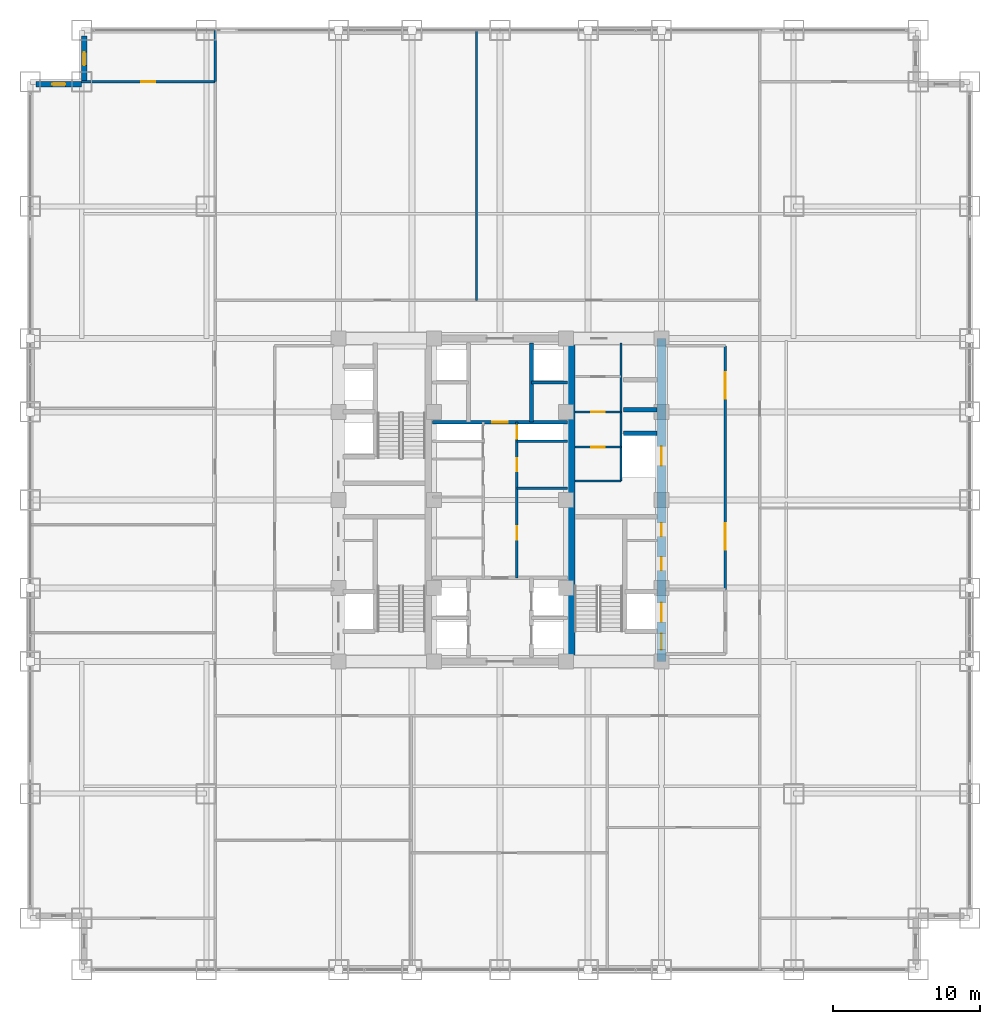
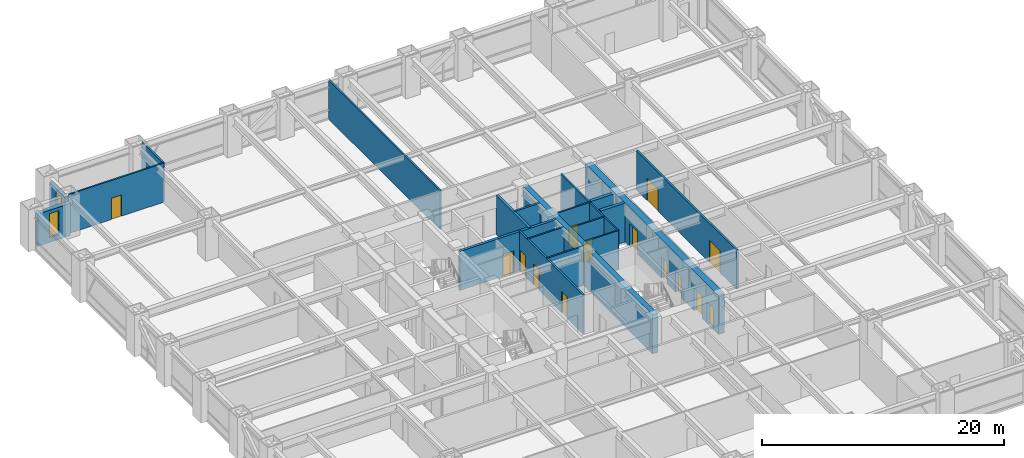
# One storey, part 26 of 28: 20 walls, 14 doors, 2 windows, 16 openings.
"""IFC4 building model written with IfcOpenShell, lengths in metres."""

from ifc_helpers import new_model, si_unit, direction, frame, frame_2d, origin, place, context, subcontext, project, spatial, rectangle, extrude, source, transform, mapped, material, layer, layer_set, type_object, element, fill, save


model = new_model("IFC4")

# Units and contexts
model_context = context("Model", 3, precision=1e-05, world=origin(), true_north=direction((0.0, 1.0)))
body_context = subcontext(model_context, "Body", "Model", "MODEL_VIEW")
ifc_project = project(units=[si_unit("LENGTHUNIT", "METRE"), si_unit("AREAUNIT", "SQUARE_METRE"), si_unit("VOLUMEUNIT", "CUBIC_METRE"), si_unit("PLANEANGLEUNIT", "RADIAN"), si_unit("MASSUNIT", "GRAM", prefix="KILO")], contexts=[model_context])

# Site, building, storey
site_placement = place(None, origin())
site = spatial("IfcSite", under=ifc_project, at=site_placement, CompositionType="ELEMENT")
building_placement = place(site_placement, origin())
building = spatial("IfcBuilding", under=site, at=building_placement, Name="Khorayat Bourse Tower", CompositionType="ELEMENT")
storey_placement = place(building_placement, frame((0.0, 0.0, 57.800048828125)))
storey = spatial("IfcBuildingStorey", under=building, at=storey_placement, Name="L12", CompositionType="ELEMENT", Elevation=57.800048828125)

# Wall, openings, doors
ifc_material_1 = material(Name="Concrete C60/75", Category="concrete")
ifc_layer_1 = layer(ifc_material_1, 0.60009765625)
ifc_layer_set_1 = layer_set([ifc_layer_1], Name="Concrete C60/75")
wall_type_1 = type_object("IfcWallType", Name="WAL-CORE-600", PredefinedType="SHEAR", material=ifc_layer_set_1)
shared_shape_1 = source(origin(), body_context, "Body", "SweptSolid", [
    extrude(rectangle(XDim=22.0, YDim=0.60009765625, at=frame_2d((11.0, 0.0))), origin(), (0.0, 0.0, 1.0), 3.93994140625),
])
wall_1_placement = place(storey_placement, frame((11.0, -11.0, 0.0), z_axis=(0.0, 0.0, 1.0), x_axis=(0.0, 1.0, 0.0)))
wall_1 = element("IfcWall", 1, at=wall_1_placement, inside=storey, type_object=wall_type_1, Name="L12 Core Shear Wall CORE-E", PredefinedType="SHEAR", context=body_context, shape_type="MappedRepresentation", body=[
    mapped(shared_shape_1, transform((0.0, 0.0, 0.0), scale=1.0)),
])
shared_shape_2 = source(origin(), body_context, "Body", "SweptSolid", [
    extrude(rectangle(XDim=1.10009765625, YDim=2.199951171875, at=frame_2d((0.550048828125, 1.10009765625))), frame((0.0, 0.31005859375, 0.0), z_axis=(0.0, -1.0, 0.0), x_axis=(1.0, 0.0, 0.0)), (0.0, 0.0, 1.0), 0.6201171875),
])
opening_1_placement = place(wall_1_placement, frame((0.800048828125, 0.0, 0.0)))
opening_1 = element("IfcOpeningElement", 2, at=opening_1_placement, cuts=wall_1, Name="Opening DI-01", PredefinedType="OPENING", context=body_context, shape_type="MappedRepresentation", body=[
    mapped(shared_shape_2, transform((0.0, 0.0, 0.0), scale=1.0)),
])
shared_shape_3 = source(origin(), body_context, "Body", "SweptSolid", [
    extrude(rectangle(XDim=0.89990234375, YDim=2.14990234375, at=frame_2d((0.449951171875, 1.074951171875))), frame((0.0, 0.31005859375, 0.0), z_axis=(0.0, -1.0, 0.0), x_axis=(1.0, 0.0, 0.0)), (0.0, 0.0, 1.0), 0.6201171875),
])
opening_2_placement = place(wall_1_placement, frame((6.199951171875, 0.0, 0.0)))
opening_2 = element("IfcOpeningElement", 3, at=opening_2_placement, cuts=wall_1, Name="Opening DI-06", PredefinedType="OPENING", context=body_context, shape_type="MappedRepresentation", body=[
    mapped(shared_shape_3, transform((0.0, 0.0, 0.0), scale=1.0)),
])
opening_3_placement = place(wall_1_placement, frame((8.52490234375, 0.0, 0.0)))
opening_3 = element("IfcOpeningElement", 4, at=opening_3_placement, cuts=wall_1, Name="Opening DI-06", PredefinedType="OPENING", context=body_context, shape_type="MappedRepresentation", body=[
    mapped(shared_shape_3, transform((0.0, 0.0, 0.0), scale=1.0)),
])
shared_shape_4 = source(origin(), body_context, "Body", "SweptSolid", [
    extrude(rectangle(XDim=1.300048828125, YDim=2.300048828125, at=frame_2d((0.64990234375, 1.14990234375))), frame((0.0, 0.31005859375, 0.0), z_axis=(0.0, -1.0, 0.0), x_axis=(1.0, 0.0, 0.0)), (0.0, 0.0, 1.0), 0.6201171875),
])
opening_4_placement = place(wall_1_placement, frame((2.699951171875, 0.0, 0.0)))
opening_4 = element("IfcOpeningElement", 5, at=opening_4_placement, cuts=wall_1, Name="Opening LD-02", PredefinedType="OPENING", context=body_context, shape_type="MappedRepresentation", body=[
    mapped(shared_shape_4, transform((0.0, 0.0, 0.0), scale=1.0)),
])
opening_5_placement = place(wall_1_placement, frame((13.35009765625, 0.0, 0.0)))
opening_5 = element("IfcOpeningElement", 6, at=opening_5_placement, cuts=wall_1, Name="Opening LD-02", PredefinedType="OPENING", context=body_context, shape_type="MappedRepresentation", body=[
    mapped(shared_shape_4, transform((0.0, 0.0, 0.0), scale=1.0)),
])
ifc_material_2 = material(Name="Fire-rated steel acoustic leaf", Category="steel")
door_type_1 = type_object("IfcDoorType", Name="DR-INT-STAIR-1100", OperationType="NOTDEFINED", PredefinedType="DOOR", material=ifc_material_2)
shared_shape_5 = source(origin(), body_context, "Body", "SweptSolid", [
    extrude(rectangle(XDim=1.10009765625, YDim=2.199951171875, at=frame_2d((0.550048828125, 1.10009765625))), frame((0.0, 0.02490234375, 0.0), z_axis=(0.0, -1.0, 0.0), x_axis=(1.0, 0.0, 0.0)), (0.0, 0.0, 1.0), 0.050048828125),
])
door_1_placement = place(opening_1_placement, origin())
door_1 = element("IfcDoor", 7, at=door_1_placement, inside=storey, type_object=door_type_1, Name="L12 Exit Stair 3 Door", OperationType="SINGLE_SWING_LEFT", OverallHeight=2.199951171875, OverallWidth=1.10009765625, PredefinedType="DOOR", context=body_context, shape_type="MappedRepresentation", body=[
    mapped(shared_shape_5, transform((0.0, 0.0, 0.0), scale=1.0)),
])
fill(opening_1, door_1)
ifc_material_3 = material(Name="Moisture-resistant laminate washroom door")
door_type_2 = type_object("IfcDoorType", Name="DR-INT-WC-900", OperationType="NOTDEFINED", PredefinedType="DOOR", material=ifc_material_3)
shared_shape_6 = source(origin(), body_context, "Body", "SweptSolid", [
    extrude(rectangle(XDim=0.89990234375, YDim=2.14990234375, at=frame_2d((0.449951171875, 1.074951171875))), frame((0.0, 0.02490234375, 0.0), z_axis=(0.0, -1.0, 0.0), x_axis=(1.0, 0.0, 0.0)), (0.0, 0.0, 1.0), 0.050048828125),
])
door_2_placement = place(opening_2_placement, origin())
door_2 = element("IfcDoor", 8, at=door_2_placement, inside=storey, type_object=door_type_2, Name="L12 Telecom Closet Door", OperationType="SINGLE_SWING_LEFT", OverallHeight=2.14990234375, OverallWidth=0.89990234375, PredefinedType="DOOR", context=body_context, shape_type="MappedRepresentation", body=[
    mapped(shared_shape_6, transform((0.0, 0.0, 0.0), scale=1.0)),
])
fill(opening_2, door_2)
door_3_placement = place(opening_3_placement, origin())
door_3 = element("IfcDoor", 9, at=door_3_placement, inside=storey, type_object=door_type_2, Name="L12 Stationery Store Door", OperationType="SINGLE_SWING_RIGHT", OverallHeight=2.14990234375, OverallWidth=0.89990234375, PredefinedType="DOOR", context=body_context, shape_type="MappedRepresentation", body=[
    mapped(shared_shape_6, transform((0.0, 0.0, 0.0), scale=1.0)),
])
fill(opening_3, door_3)
ifc_material_4 = material(Name="Fire-rated stainless-steel sliding landing door", Category="steel")
door_type_3 = type_object("IfcDoorType", Name="DR-LIFT-FF-1300", OperationType="NOTDEFINED", PredefinedType="DOOR", material=ifc_material_4)
shared_shape_7 = source(origin(), body_context, "Body", "SweptSolid", [
    extrude(rectangle(XDim=1.300048828125, YDim=2.300048828125, at=frame_2d((0.64990234375, 1.14990234375))), frame((0.0, 0.02490234375, 0.0), z_axis=(0.0, -1.0, 0.0), x_axis=(1.0, 0.0, 0.0)), (0.0, 0.0, 1.0), 0.050048828125),
])
door_4_placement = place(opening_4_placement, origin())
door_4 = element("IfcDoor", 10, at=door_4_placement, inside=storey, type_object=door_type_3, Name="L12 Lift FFL-02 Sliding Landing Door", OperationType="SLIDING_TO_LEFT", OverallHeight=2.300048828125, OverallWidth=1.300048828125, PredefinedType="DOOR", context=body_context, shape_type="MappedRepresentation", body=[
    mapped(shared_shape_7, transform((0.0, 0.0, 0.0), scale=1.0)),
])
fill(opening_4, door_4)
door_5_placement = place(opening_5_placement, origin())
door_5 = element("IfcDoor", 11, at=door_5_placement, inside=storey, type_object=door_type_3, Name="L12 Lift SVL-01 Sliding Landing Door", OperationType="SLIDING_TO_LEFT", OverallHeight=2.300048828125, OverallWidth=1.300048828125, PredefinedType="DOOR", context=body_context, shape_type="MappedRepresentation", body=[
    mapped(shared_shape_7, transform((0.0, 0.0, 0.0), scale=1.0)),
])
fill(opening_5, door_5)

# Wall
ifc_material_5 = material(Name="Concrete C52/65", Category="concrete")
ifc_layer_2 = layer(ifc_material_5, 0.5)
ifc_layer_set_2 = layer_set([ifc_layer_2], Name="Concrete C52/65")
wall_type_2 = type_object("IfcWallType", Name="WAL-CORE-500", PredefinedType="SHEAR", material=ifc_layer_set_2)
shared_shape_8 = source(origin(), body_context, "Body", "SweptSolid", [
    extrude(rectangle(XDim=21.39990234375, YDim=0.5, at=frame_2d((10.699951171875, 0.0))), origin(), (0.0, 0.0, 1.0), 3.93994140625),
])
wall_2_placement = place(storey_placement, frame((4.85009765625, -10.699951171875, 0.0), z_axis=(0.0, 0.0, 1.0), x_axis=(0.0, 1.0, 0.0)))
element("IfcWall", 12, at=wall_2_placement, inside=storey, type_object=wall_type_2, Name="L12 Core Shear Wall PIER-E", PredefinedType="SHEAR", context=body_context, shape_type="MappedRepresentation", body=[
    mapped(shared_shape_8, transform((0.0, 0.0, 0.0), scale=1.0)),
])

# Wall, opening, window
ifc_material_6 = material(Name="Precast concrete C45/55", Category="concrete")
ifc_layer_3 = layer(ifc_material_6, 0.3798828125)
ifc_layer_set_3 = layer_set([ifc_layer_3], Name="Precast concrete C45/55")
wall_type_3 = type_object("IfcWallType", Name="WAL-EXT-STONE-380", PredefinedType="STANDARD", material=ifc_layer_set_3)
shared_shape_9 = source(origin(), body_context, "Body", "SweptSolid", [
    extrude(rectangle(XDim=3.1201171875, YDim=0.3798828125, at=frame_2d((1.56005859375, 0.0))), origin(), (0.0, 0.0, 1.0), 3.244873046875),
])
wall_3_placement = place(storey_placement, frame((-28.31005859375, 28.5, 0.0), z_axis=(0.0, 0.0, 1.0), x_axis=(0.0, 1.0, 0.0)))
wall_3 = element("IfcWall", 13, at=wall_3_placement, inside=storey, type_object=wall_type_3, Name="L12 Re-Entrant Notch Limestone Wall NW-V", PredefinedType="STANDARD", context=body_context, shape_type="MappedRepresentation", body=[
    mapped(shared_shape_9, transform((0.0, 0.0, 0.0), scale=1.0)),
])
shared_shape_10 = source(origin(), body_context, "Body", "SweptSolid", [
    extrude(rectangle(XDim=0.89990234375, YDim=2.39990234375, at=frame_2d((0.449951171875, 1.199951171875))), frame((0.0, 0.199951171875, 0.0), z_axis=(0.0, -1.0, 0.0), x_axis=(1.0, 0.0, 0.0)), (0.0, 0.0, 1.0), 0.39990234375),
])
opening_6_placement = place(wall_3_placement, frame((1.110107421875, 0.0, 0.5)))
opening_6 = element("IfcOpeningElement", 14, at=opening_6_placement, cuts=wall_3, Name="Opening WN-03", PredefinedType="OPENING", context=body_context, shape_type="MappedRepresentation", body=[
    mapped(shared_shape_10, transform((0.0, 0.0, 0.0), scale=1.0)),
])
ifc_material_7 = material(Name="Deep-reveal solar-control double glazing", Category="glass")
window_type = type_object("IfcWindowType", Name="WIN-SLOT-900x2400", PartitioningType="SINGLE_PANEL", PredefinedType="WINDOW", material=ifc_material_7)
shared_shape_11 = source(origin(), body_context, "Body", "SweptSolid", [
    extrude(rectangle(XDim=0.89990234375, YDim=2.39990234375, at=frame_2d((0.449951171875, 1.199951171875))), frame((0.0, 0.030029296875, 0.0), z_axis=(0.0, -1.0, 0.0), x_axis=(1.0, 0.0, 0.0)), (0.0, 0.0, 1.0), 0.06005859375),
])
window_1_placement = place(opening_6_placement, origin())
window_1 = element("IfcWindow", 15, at=window_1_placement, inside=storey, type_object=window_type, Name="L12 Facade Window 1", OverallHeight=2.39990234375, OverallWidth=0.89990234375, PartitioningType="SINGLE_PANEL", PredefinedType="WINDOW", context=body_context, shape_type="MappedRepresentation", body=[
    mapped(shared_shape_11, transform((0.0, 0.0, 0.0), scale=1.0)),
])
fill(opening_6, window_1)

wall_4_placement = place(storey_placement, frame((-28.5, 28.31005859375, 0.0), z_axis=(0.0, 0.0, 1.0), x_axis=(-1.0, 0.0, 0.0)))
wall_4 = element("IfcWall", 16, at=wall_4_placement, inside=storey, type_object=wall_type_3, Name="L12 Re-Entrant Notch Limestone Wall NW-H", PredefinedType="STANDARD", context=body_context, shape_type="MappedRepresentation", body=[
    mapped(shared_shape_9, transform((0.0, 0.0, 0.0), scale=1.0)),
])
opening_7_placement = place(wall_4_placement, frame((1.110107421875, 0.0, 0.5)))
opening_7 = element("IfcOpeningElement", 17, at=opening_7_placement, cuts=wall_4, Name="Opening WN-03", PredefinedType="OPENING", context=body_context, shape_type="MappedRepresentation", body=[
    mapped(shared_shape_10, transform((0.0, 0.0, 0.0), scale=1.0)),
])
window_2_placement = place(opening_7_placement, origin())
window_2 = element("IfcWindow", 18, at=window_2_placement, inside=storey, type_object=window_type, Name="L12 Facade Window 1", OverallHeight=2.39990234375, OverallWidth=0.89990234375, PartitioningType="SINGLE_PANEL", PredefinedType="WINDOW", context=body_context, shape_type="MappedRepresentation", body=[
    mapped(shared_shape_11, transform((0.0, 0.0, 0.0), scale=1.0)),
])
fill(opening_7, window_2)

# Walls
ifc_material_8 = material(Name="Concrete C50/60", Category="concrete")
ifc_layer_4 = layer(ifc_material_8, 0.300048828125)
ifc_layer_set_4 = layer_set([ifc_layer_4], Name="Concrete C50/60")
wall_type_4 = type_object("IfcWallType", Name="WAL-SHAFT-300", PredefinedType="SHEAR", material=ifc_layer_set_4)
shared_shape_12 = source(origin(), body_context, "Body", "SweptSolid", [
    extrude(rectangle(XDim=2.300048828125, YDim=0.300048828125, at=frame_2d((1.14990234375, 0.0))), origin(), (0.0, 0.0, 1.0), 3.93994140625),
])
for number, where, z_axis, x_axis, name in (
    (19, (8.39990234375, 4.550048828125, 0.0), (0.0, 0.0, 1.0), (1.0, 0.0, 0.0), "L12 Partition WAL-L12-EPIER-SVLN"),
    (20, (8.39990234375, 6.14990234375, 0.0), (0.0, 0.0, 1.0), (1.0, 0.0, 0.0), "L12 Partition WAL-L12-EPIER-H3S"),
):
    element("IfcWall", number, at=place(storey_placement, frame(where, z_axis=z_axis, x_axis=x_axis)), inside=storey, type_object=wall_type_4, Name=name, PredefinedType="SHEAR", context=body_context, shape_type="MappedRepresentation", body=[
        mapped(shared_shape_12, transform((0.0, 0.0, 0.0), scale=1.0)),
    ])
ifc_material_9 = material(Name="Moisture-resistant masonry partition", Category="masonry")
ifc_layer_5 = layer(ifc_material_9, 0.139892578125)
ifc_layer_set_5 = layer_set([ifc_layer_5], Name="Moisture-resistant masonry partition")
wall_type_5 = type_object("IfcWallType", Name="WAL-PART-WET-140", PredefinedType="PARTITIONING", material=ifc_layer_set_5)
shared_shape_13 = source(origin(), body_context, "Body", "SweptSolid", [
    extrude(rectangle(XDim=9.39990234375, YDim=0.139892578125, at=frame_2d((4.699951171875, 0.0))), origin(), (0.0, 0.0, 1.0), 3.93994140625),
])
wall_5_placement = place(storey_placement, frame((8.25, 1.300048828125, 0.0), z_axis=(0.0, 0.0, 1.0), x_axis=(0.0, 1.0, 0.0)))
element("IfcWall", 21, at=wall_5_placement, inside=storey, type_object=wall_type_5, Name="L12 Partition WAL-L12-ECORE-E", PredefinedType="PARTITIONING", context=body_context, shape_type="MappedRepresentation", body=[
    mapped(shared_shape_13, transform((0.0, 0.0, 0.0), scale=1.0)),
])
shared_shape_14 = source(origin(), body_context, "Body", "SweptSolid", [
    extrude(rectangle(XDim=3.14990234375, YDim=0.139892578125, at=frame_2d((1.574951171875, 0.0))), origin(), (0.0, 0.0, 1.0), 3.93994140625),
])
wall_6_placement = place(storey_placement, frame((5.10009765625, 1.300048828125, 0.0), z_axis=(0.0, 0.0, 1.0), x_axis=(1.0, 0.0, 0.0)))
element("IfcWall", 22, at=wall_6_placement, inside=storey, type_object=wall_type_5, Name="L12 Partition WAL-L12-ECORE-S", PredefinedType="PARTITIONING", context=body_context, shape_type="MappedRepresentation", body=[
    mapped(shared_shape_14, transform((0.0, 0.0, 0.0), scale=1.0)),
])

# Wall, opening, door
wall_7_placement = place(storey_placement, frame((5.10009765625, 6.0, 0.0), z_axis=(0.0, 0.0, 1.0), x_axis=(1.0, 0.0, 0.0)))
wall_7 = element("IfcWall", 23, at=wall_7_placement, inside=storey, type_object=wall_type_5, Name="L12 Partition WAL-L12-ECW-H1", PredefinedType="PARTITIONING", context=body_context, shape_type="MappedRepresentation", body=[
    mapped(shared_shape_14, transform((0.0, 0.0, 0.0), scale=1.0)),
])
shared_shape_15 = source(origin(), body_context, "Body", "SweptSolid", [
    extrude(rectangle(XDim=0.89990234375, YDim=2.14990234375, at=frame_2d((0.449951171875, 1.074951171875))), frame((0.0, 0.079833984375, 0.0), z_axis=(0.0, -1.0, 0.0), x_axis=(1.0, 0.0, 0.0)), (0.0, 0.0, 1.0), 0.159912109375),
])
opening_8_placement = place(wall_7_placement, frame((1.1298828125, 0.0, 0.0)))
opening_8 = element("IfcOpeningElement", 24, at=opening_8_placement, cuts=wall_7, Name="Opening DI-06", PredefinedType="OPENING", context=body_context, shape_type="MappedRepresentation", body=[
    mapped(shared_shape_15, transform((0.0, 0.0, 0.0), scale=1.0)),
])
door_6_placement = place(opening_8_placement, origin())
door_6 = element("IfcDoor", 25, at=door_6_placement, inside=storey, type_object=door_type_2, Name="L12 Shared Washroom Door", OperationType="SINGLE_SWING_RIGHT", OverallHeight=2.14990234375, OverallWidth=0.89990234375, PredefinedType="DOOR", context=body_context, shape_type="MappedRepresentation", body=[
    mapped(shared_shape_6, transform((0.0, 0.0, 0.0), scale=1.0)),
])
fill(opening_8, door_6)

wall_8_placement = place(storey_placement, frame((5.10009765625, 3.60009765625, 0.0), z_axis=(0.0, 0.0, 1.0), x_axis=(1.0, 0.0, 0.0)))
wall_8 = element("IfcWall", 26, at=wall_8_placement, inside=storey, type_object=wall_type_5, Name="L12 Partition WAL-L12-ECW-H2", PredefinedType="PARTITIONING", context=body_context, shape_type="MappedRepresentation", body=[
    mapped(shared_shape_14, transform((0.0, 0.0, 0.0), scale=1.0)),
])
opening_9_placement = place(wall_8_placement, frame((1.1298828125, 0.0, 0.0)))
opening_9 = element("IfcOpeningElement", 27, at=opening_9_placement, cuts=wall_8, Name="Opening DI-06", PredefinedType="OPENING", context=body_context, shape_type="MappedRepresentation", body=[
    mapped(shared_shape_15, transform((0.0, 0.0, 0.0), scale=1.0)),
])
door_7_placement = place(opening_9_placement, origin())
door_7 = element("IfcDoor", 28, at=door_7_placement, inside=storey, type_object=door_type_2, Name="L12 Staff Washroom Door", OperationType="SINGLE_SWING_LEFT", OverallHeight=2.14990234375, OverallWidth=0.89990234375, PredefinedType="DOOR", context=body_context, shape_type="MappedRepresentation", body=[
    mapped(shared_shape_6, transform((0.0, 0.0, 0.0), scale=1.0)),
])
fill(opening_9, door_7)

# Wall, openings, doors
ifc_material_10 = material(Name="Gypsum plasterboard acoustic stud wall")
ifc_layer_6 = layer(ifc_material_10, 0.179931640625)
ifc_layer_set_6 = layer_set([ifc_layer_6], Name="Gypsum plasterboard acoustic stud wall")
wall_type_6 = type_object("IfcWallType", Name="WAL-PART-CORR-180", PredefinedType="PARTITIONING", material=ifc_layer_set_6)
shared_shape_16 = source(origin(), body_context, "Body", "SweptSolid", [
    extrude(rectangle(XDim=16.60009765625, YDim=0.179931640625, at=frame_2d((8.300048828125, 0.0))), origin(), (0.0, 0.0, 1.0), 3.93994140625),
])
wall_9_placement = place(storey_placement, frame((15.35009765625, -6.10009765625, 0.0), z_axis=(0.0, 0.0, 1.0), x_axis=(0.0, 1.0, 0.0)))
wall_9 = element("IfcWall", 29, at=wall_9_placement, inside=storey, type_object=wall_type_6, Name="L12 Partition WAL-L12-ELOB-E", PredefinedType="PARTITIONING", context=body_context, shape_type="MappedRepresentation", body=[
    mapped(shared_shape_16, transform((0.0, 0.0, 0.0), scale=1.0)),
])
shared_shape_17 = source(origin(), body_context, "Body", "SweptSolid", [
    extrude(rectangle(XDim=1.800048828125, YDim=2.25, at=frame_2d((0.89990234375, 1.125))), frame((0.0, 0.099853515625, 0.0), z_axis=(0.0, -1.0, 0.0), x_axis=(1.0, 0.0, 0.0)), (0.0, 0.0, 1.0), 0.199951171875),
])
opening_10_placement = place(wall_9_placement, frame((2.699951171875, 0.0, 0.0)))
opening_10 = element("IfcOpeningElement", 30, at=opening_10_placement, cuts=wall_9, Name="Opening DI-03", PredefinedType="OPENING", context=body_context, shape_type="MappedRepresentation", body=[
    mapped(shared_shape_17, transform((0.0, 0.0, 0.0), scale=1.0)),
])
opening_11_placement = place(wall_9_placement, frame((13.0, 0.0, 0.0)))
opening_11 = element("IfcOpeningElement", 31, at=opening_11_placement, cuts=wall_9, Name="Opening DI-03", PredefinedType="OPENING", context=body_context, shape_type="MappedRepresentation", body=[
    mapped(shared_shape_17, transform((0.0, 0.0, 0.0), scale=1.0)),
])
ifc_material_11 = material(Name="Fire-rated hardwood vision-panel double leaf", Category="wood")
door_type_4 = type_object("IfcDoorType", Name="DR-INT-CORR-1800", OperationType="NOTDEFINED", PredefinedType="DOOR", material=ifc_material_11)
shared_shape_18 = source(origin(), body_context, "Body", "SweptSolid", [
    extrude(rectangle(XDim=1.800048828125, YDim=2.25, at=frame_2d((0.89990234375, 1.125))), frame((0.0, 0.02490234375, 0.0), z_axis=(0.0, -1.0, 0.0), x_axis=(1.0, 0.0, 0.0)), (0.0, 0.0, 1.0), 0.050048828125),
])
door_8_placement = place(opening_10_placement, origin())
door_8 = element("IfcDoor", 32, at=door_8_placement, inside=storey, type_object=door_type_4, Name="L12 East Core Lobby South Door", OperationType="SINGLE_SWING_RIGHT", OverallHeight=2.25, OverallWidth=1.800048828125, PredefinedType="DOOR", context=body_context, shape_type="MappedRepresentation", body=[
    mapped(shared_shape_18, transform((0.0, 0.0, 0.0), scale=1.0)),
])
fill(opening_10, door_8)
door_9_placement = place(opening_11_placement, origin())
door_9 = element("IfcDoor", 33, at=door_9_placement, inside=storey, type_object=door_type_4, Name="L12 East Core Lobby North Door", OperationType="SINGLE_SWING_LEFT", OverallHeight=2.25, OverallWidth=1.800048828125, PredefinedType="DOOR", context=body_context, shape_type="MappedRepresentation", body=[
    mapped(shared_shape_18, transform((0.0, 0.0, 0.0), scale=1.0)),
])
fill(opening_11, door_9)

# Walls
ifc_material_12 = material(Name="Gypsum plasterboard twin-frame partition")
ifc_layer_7 = layer(ifc_material_12, 0.14990234375)
ifc_layer_set_7 = layer_set([ifc_layer_7], Name="Gypsum plasterboard twin-frame partition")
wall_type_7 = type_object("IfcWallType", Name="WAL-PART-SUITE-150", PredefinedType="PARTITIONING", material=ifc_layer_set_7)
shared_shape_19 = source(origin(), body_context, "Body", "SweptSolid", [
    extrude(rectangle(XDim=3.4501953125, YDim=0.14990234375, at=frame_2d((1.72509765625, 0.0))), origin(), (0.0, 0.0, 1.0), 3.93994140625),
])
wall_10_placement = place(storey_placement, frame((1.14990234375, 4.0, 0.0), z_axis=(0.0, 0.0, 1.0), x_axis=(1.0, 0.0, 0.0)))
element("IfcWall", 34, at=wall_10_placement, inside=storey, type_object=wall_type_7, Name="L12 Partition WAL-L12-CRSE-S", PredefinedType="PARTITIONING", context=body_context, shape_type="MappedRepresentation", body=[
    mapped(shared_shape_19, transform((0.0, 0.0, 0.0), scale=1.0)),
])
shared_shape_20 = source(origin(), body_context, "Body", "SweptSolid", [
    extrude(rectangle(XDim=5.39990234375, YDim=0.25, at=frame_2d((2.699951171875, 0.0))), origin(), (0.0, 0.0, 1.0), 3.93994140625),
])
wall_11_placement = place(storey_placement, frame((2.14990234375, 5.300048828125, 0.0), z_axis=(0.0, 0.0, 1.0), x_axis=(0.0, 1.0, 0.0)))
element("IfcWall", 35, at=wall_11_placement, inside=storey, type_object=wall_type_4, Name="L12 Partition WAL-L12-B2-E", PredefinedType="SHEAR", context=body_context, shape_type="MappedRepresentation", body=[
    mapped(shared_shape_20, transform((0.0, 0.0, 0.0), scale=1.0)),
])
shared_shape_21 = source(origin(), body_context, "Body", "SweptSolid", [
    extrude(rectangle(XDim=2.4501953125, YDim=0.199951171875, at=frame_2d((1.22509765625, 0.0))), origin(), (0.0, 0.0, 1.0), 3.93994140625),
])
wall_12_placement = place(storey_placement, frame((2.14990234375, 8.0, 0.0), z_axis=(0.0, 0.0, 1.0), x_axis=(1.0, 0.0, 0.0)))
element("IfcWall", 36, at=wall_12_placement, inside=storey, type_object=wall_type_4, Name="L12 Partition WAL-L12-B2-ME", PredefinedType="SHEAR", context=body_context, shape_type="MappedRepresentation", body=[
    mapped(shared_shape_21, transform((0.0, 0.0, 0.0), scale=1.0)),
])

# Wall, opening, door
shared_shape_22 = source(origin(), body_context, "Body", "SweptSolid", [
    extrude(rectangle(XDim=9.2001953125, YDim=0.25, at=frame_2d((4.60009765625, 0.0))), origin(), (0.0, 0.0, 1.0), 3.93994140625),
])
wall_13_placement = place(storey_placement, frame((-4.60009765625, 5.300048828125, 0.0), z_axis=(0.0, 0.0, 1.0), x_axis=(1.0, 0.0, 0.0)))
wall_13 = element("IfcWall", 37, at=wall_13_placement, inside=storey, type_object=wall_type_4, Name="L12 Partition WAL-L12-B2-S", PredefinedType="SHEAR", context=body_context, shape_type="MappedRepresentation", body=[
    mapped(shared_shape_22, transform((0.0, 0.0, 0.0), scale=1.0)),
])
shared_shape_23 = source(origin(), body_context, "Body", "SweptSolid", [
    extrude(rectangle(XDim=1.050048828125, YDim=2.199951171875, at=frame_2d((0.52490234375, 1.10009765625))), frame((0.0, 0.135009765625, 0.0), z_axis=(0.0, -1.0, 0.0), x_axis=(1.0, 0.0, 0.0)), (0.0, 0.0, 1.0), 0.27001953125),
])
opening_12_placement = place(wall_13_placement, frame((4.074951171875, 0.0, 0.0)))
opening_12 = element("IfcOpeningElement", 38, at=opening_12_placement, cuts=wall_13, Name="Opening DI-04", PredefinedType="OPENING", context=body_context, shape_type="MappedRepresentation", body=[
    mapped(shared_shape_23, transform((0.0, 0.0, 0.0), scale=1.0)),
])
ifc_material_13 = material(Name="Fire-rated oak veneer suite entrance door")
door_type_5 = type_object("IfcDoorType", Name="DR-INT-SUITE-1050", OperationType="NOTDEFINED", PredefinedType="DOOR", material=ifc_material_13)
shared_shape_24 = source(origin(), body_context, "Body", "SweptSolid", [
    extrude(rectangle(XDim=1.050048828125, YDim=2.199951171875, at=frame_2d((0.52490234375, 1.10009765625))), frame((0.0, 0.02490234375, 0.0), z_axis=(0.0, -1.0, 0.0), x_axis=(1.0, 0.0, 0.0)), (0.0, 0.0, 1.0), 0.050048828125),
])
door_10_placement = place(opening_12_placement, origin())
door_10 = element("IfcDoor", 39, at=door_10_placement, inside=storey, type_object=door_type_5, Name="L12 Core Spine North Door", OperationType="SINGLE_SWING_RIGHT", OverallHeight=2.199951171875, OverallWidth=1.050048828125, PredefinedType="DOOR", context=body_context, shape_type="MappedRepresentation", body=[
    mapped(shared_shape_24, transform((0.0, 0.0, 0.0), scale=1.0)),
])
fill(opening_12, door_10)

# Wall
shared_shape_25 = source(origin(), body_context, "Body", "SweptSolid", [
    extrude(rectangle(XDim=3.4501953125, YDim=0.139892578125, at=frame_2d((1.72509765625, 0.0))), origin(), (0.0, 0.0, 1.0), 3.93994140625),
])
wall_14_placement = place(storey_placement, frame((1.14990234375, 0.800048828125, 0.0), z_axis=(0.0, 0.0, 1.0), x_axis=(1.0, 0.0, 0.0)))
element("IfcWall", 40, at=wall_14_placement, inside=storey, type_object=wall_type_5, Name="L12 Partition WAL-L12-CME-D1", PredefinedType="PARTITIONING", context=body_context, shape_type="MappedRepresentation", body=[
    mapped(shared_shape_25, transform((0.0, 0.0, 0.0), scale=1.0)),
])

# Wall, openings, doors
shared_shape_26 = source(origin(), body_context, "Body", "SweptSolid", [
    extrude(rectangle(XDim=10.60009765625, YDim=0.179931640625, at=frame_2d((5.300048828125, 0.0))), origin(), (0.0, 0.0, 1.0), 3.93994140625),
])
wall_15_placement = place(storey_placement, frame((1.14990234375, -5.300048828125, 0.0), z_axis=(0.0, 0.0, 1.0), x_axis=(0.0, 1.0, 0.0)))
wall_15 = element("IfcWall", 41, at=wall_15_placement, inside=storey, type_object=wall_type_6, Name="L12 Partition WAL-L12-CME-L", PredefinedType="PARTITIONING", context=body_context, shape_type="MappedRepresentation", body=[
    mapped(shared_shape_26, transform((0.0, 0.0, 0.0), scale=1.0)),
])
shared_shape_27 = source(origin(), body_context, "Body", "SweptSolid", [
    extrude(rectangle(XDim=0.89990234375, YDim=2.14990234375, at=frame_2d((0.449951171875, 1.074951171875))), frame((0.0, 0.099853515625, 0.0), z_axis=(0.0, -1.0, 0.0), x_axis=(1.0, 0.0, 0.0)), (0.0, 0.0, 1.0), 0.199951171875),
])
opening_13_placement = place(wall_15_placement, frame((2.60009765625, 0.0, 0.0)))
opening_13 = element("IfcOpeningElement", 42, at=opening_13_placement, cuts=wall_15, Name="Opening DI-06", PredefinedType="OPENING", context=body_context, shape_type="MappedRepresentation", body=[
    mapped(shared_shape_27, transform((0.0, 0.0, 0.0), scale=1.0)),
])
opening_14_placement = place(wall_15_placement, frame((7.25, 0.0, 0.0)))
opening_14 = element("IfcOpeningElement", 43, at=opening_14_placement, cuts=wall_15, Name="Opening DI-06", PredefinedType="OPENING", context=body_context, shape_type="MappedRepresentation", body=[
    mapped(shared_shape_27, transform((0.0, 0.0, 0.0), scale=1.0)),
])
opening_15_placement = place(wall_15_placement, frame((9.47509765625, 0.0, 0.0)))
opening_15 = element("IfcOpeningElement", 44, at=opening_15_placement, cuts=wall_15, Name="Opening DI-06", PredefinedType="OPENING", context=body_context, shape_type="MappedRepresentation", body=[
    mapped(shared_shape_27, transform((0.0, 0.0, 0.0), scale=1.0)),
])
door_11_placement = place(opening_13_placement, origin())
door_11 = element("IfcDoor", 45, at=door_11_placement, inside=storey, type_object=door_type_2, Name="L12 Female Core Washroom Door", OperationType="SINGLE_SWING_RIGHT", OverallHeight=2.14990234375, OverallWidth=0.89990234375, PredefinedType="DOOR", context=body_context, shape_type="MappedRepresentation", body=[
    mapped(shared_shape_6, transform((0.0, 0.0, 0.0), scale=1.0)),
])
fill(opening_13, door_11)
door_12_placement = place(opening_14_placement, origin())
door_12 = element("IfcDoor", 46, at=door_12_placement, inside=storey, type_object=door_type_2, Name="L12 Smoke Extract Fan Plant Room Door", OperationType="SINGLE_SWING_LEFT", OverallHeight=2.14990234375, OverallWidth=0.89990234375, PredefinedType="DOOR", context=body_context, shape_type="MappedRepresentation", body=[
    mapped(shared_shape_6, transform((0.0, 0.0, 0.0), scale=1.0)),
])
fill(opening_14, door_12)
door_13_placement = place(opening_15_placement, origin())
door_13 = element("IfcDoor", 47, at=door_13_placement, inside=storey, type_object=door_type_2, Name="L12 East Core Riser Door", OperationType="SINGLE_SWING_RIGHT", OverallHeight=2.14990234375, OverallWidth=0.89990234375, PredefinedType="DOOR", context=body_context, shape_type="MappedRepresentation", body=[
    mapped(shared_shape_6, transform((0.0, 0.0, 0.0), scale=1.0)),
])
fill(opening_15, door_13)

# Walls
shared_shape_28 = source(origin(), body_context, "Body", "SweptSolid", [
    extrude(rectangle(XDim=18.39990234375, YDim=0.14990234375, at=frame_2d((9.199951171875, 0.0))), origin(), (0.0, 0.0, 1.0), 3.93994140625),
])
wall_16_placement = place(storey_placement, frame((-1.592041015625, 13.60009765625, 0.0), z_axis=(0.0, 0.0, 1.0), x_axis=(0.0, 1.0, 0.0)))
element("IfcWall", 48, at=wall_16_placement, inside=storey, type_object=wall_type_7, Name="L12 Partition WAL-L12-NDV-1", PredefinedType="PARTITIONING", context=body_context, shape_type="MappedRepresentation", body=[
    mapped(shared_shape_28, transform((0.0, 0.0, 0.0), scale=1.0)),
])
shared_shape_29 = source(origin(), body_context, "Body", "SweptSolid", [
    extrude(rectangle(XDim=3.5, YDim=0.14990234375, at=frame_2d((1.75, 0.0))), origin(), (0.0, 0.0, 1.0), 3.93994140625),
])
wall_17_placement = place(storey_placement, frame((-19.39990234375, 28.5, 0.0), z_axis=(0.0, 0.0, 1.0), x_axis=(0.0, 1.0, 0.0)))
element("IfcWall", 49, at=wall_17_placement, inside=storey, type_object=wall_type_7, Name="L12 Partition WAL-L12-NCW-END", PredefinedType="PARTITIONING", context=body_context, shape_type="MappedRepresentation", body=[
    mapped(shared_shape_29, transform((0.0, 0.0, 0.0), scale=1.0)),
])

# Wall, opening, door
shared_shape_30 = source(origin(), body_context, "Body", "SweptSolid", [
    extrude(rectangle(XDim=9.10009765625, YDim=0.14990234375, at=frame_2d((4.550048828125, 0.0))), origin(), (0.0, 0.0, 1.0), 3.93994140625),
])
wall_18_placement = place(storey_placement, frame((-28.5, 28.5, 0.0), z_axis=(0.0, 0.0, 1.0), x_axis=(1.0, 0.0, 0.0)))
wall_18 = element("IfcWall", 50, at=wall_18_placement, inside=storey, type_object=wall_type_7, Name="L12 Partition WAL-L12-CNW", PredefinedType="PARTITIONING", context=body_context, shape_type="MappedRepresentation", body=[
    mapped(shared_shape_30, transform((0.0, 0.0, 0.0), scale=1.0)),
])
shared_shape_31 = source(origin(), body_context, "Body", "SweptSolid", [
    extrude(rectangle(XDim=0.949951171875, YDim=2.14990234375, at=frame_2d((0.47509765625, 1.074951171875))), frame((0.0, 0.0849609375, 0.0), z_axis=(0.0, -1.0, 0.0), x_axis=(1.0, 0.0, 0.0)), (0.0, 0.0, 1.0), 0.169921875),
])
opening_16_placement = place(wall_18_placement, frame((4.074951171875, 0.0, 0.0)))
opening_16 = element("IfcOpeningElement", 51, at=opening_16_placement, cuts=wall_18, Name="Opening DI-05", PredefinedType="OPENING", context=body_context, shape_type="MappedRepresentation", body=[
    mapped(shared_shape_31, transform((0.0, 0.0, 0.0), scale=1.0)),
])
ifc_material_14 = material(Name="Acoustic oak veneer office door")
door_type_6 = type_object("IfcDoorType", Name="DR-INT-OFFICE-950", OperationType="NOTDEFINED", PredefinedType="DOOR", material=ifc_material_14)
shared_shape_32 = source(origin(), body_context, "Body", "SweptSolid", [
    extrude(rectangle(XDim=0.949951171875, YDim=2.14990234375, at=frame_2d((0.47509765625, 1.074951171875))), frame((0.0, 0.02490234375, 0.0), z_axis=(0.0, -1.0, 0.0), x_axis=(1.0, 0.0, 0.0)), (0.0, 0.0, 1.0), 0.050048828125),
])
door_14_placement = place(opening_16_placement, origin())
door_14 = element("IfcDoor", 52, at=door_14_placement, inside=storey, type_object=door_type_6, Name="L12 North-West Corner Meeting Room Door", OperationType="SINGLE_SWING_LEFT", OverallHeight=2.14990234375, OverallWidth=0.949951171875, PredefinedType="DOOR", context=body_context, shape_type="MappedRepresentation", body=[
    mapped(shared_shape_32, transform((0.0, 0.0, 0.0), scale=1.0)),
])
fill(opening_16, door_14)

save(model, "model.ifc")
